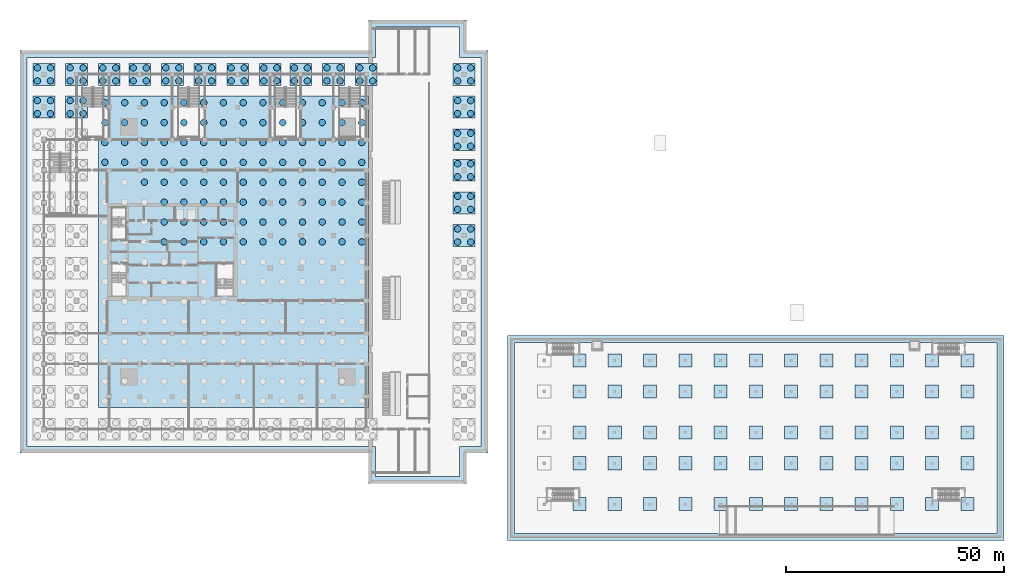
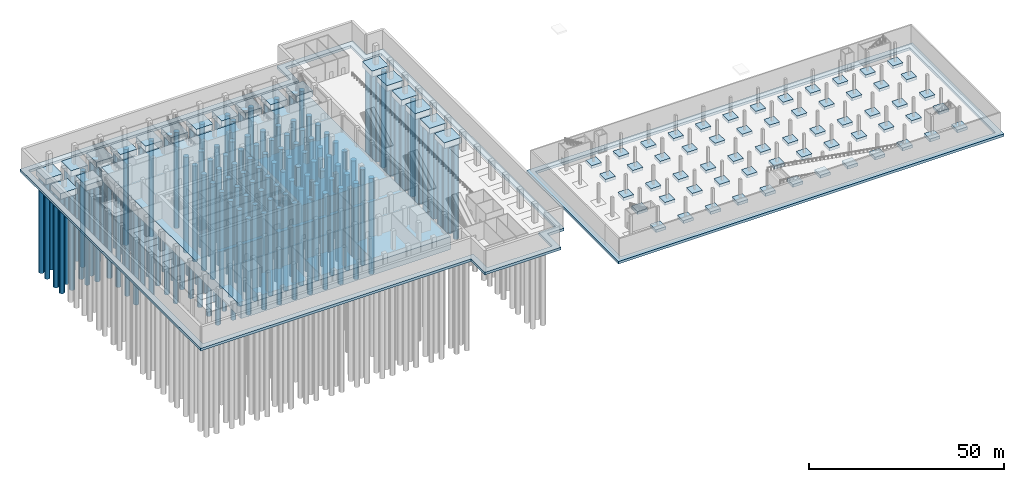
# One storey, part 2 of 39: 177 piles, 82 footings.
"""IFC4 building model written with IfcOpenShell, lengths in metres."""

import ifcopenshell
import ifcopenshell.guid

model = None  # the IFC model being written
_history = None  # IfcOwnerHistory: only IFC2X3 demands one
_inside = {}  # id of a spatial element -> (the spatial element, [elements in it])
_under = {}  # id of a project, library or spatial element -> (it, [spatial elements below it])
_declared = {}  # id of a project -> (the project, [libraries it declares])
_typed = {}  # id of a type object -> (the type object, [elements of that type])
_made_of = {}  # id of a material, layer set ... -> (it, [elements and type objects made of it])


def new_model(schema):
    """Start an empty IFC model of exactly this schema.

    Asked for "IFC4X3", IfcOpenShell would pick the latest addendum, in which some entities
    have other attributes; the version numbers below select the first issue.
    IFC2X3 requires an IfcOwnerHistory on every rooted entity: one is made here for all.
    """
    global model, _history
    if schema == "IFC4X3":
        model = ifcopenshell.file(schema_version=(4, 3, 0, 0))
    else:
        model = ifcopenshell.file(schema=schema)
    _inside.clear()
    _under.clear()
    _declared.clear()
    _typed.clear()
    _made_of.clear()
    _history = None
    if model.schema == "IFC2X3":
        org = make("IfcOrganization", Name="unknown")
        user = make(
            "IfcPersonAndOrganization",
            ThePerson=make("IfcPerson", FamilyName="unknown"),
            TheOrganization=org,
        )
        app = make(
            "IfcApplication",
            ApplicationDeveloper=org,
            Version="unknown",
            ApplicationFullName="unknown",
            ApplicationIdentifier="unknown",
        )
        _history = make(
            "IfcOwnerHistory",
            OwningUser=user,
            OwningApplication=app,
            ChangeAction="ADDED",
            CreationDate=0,
        )
    return model


def make(cls, **values):
    """One entity of the class cls with the attributes given. An attribute that is None is left unset."""
    return model.create_entity(
        cls, **{name: value for name, value in values.items() if value is not None}
    )


def rooted(cls, **values):
    """An entity with a GlobalId (a new one), such as an element, a storey or a relation."""
    return make(cls, GlobalId=ifcopenshell.guid.new(), OwnerHistory=_history, **values)


def si_unit(unit_type, name, prefix=None):
    """IfcSIUnit, for example si_unit("LENGTHUNIT", "METRE", prefix="MILLI")."""
    return make("IfcSIUnit", UnitType=unit_type, Prefix=prefix, Name=name)


def assignment(units):
    """IfcUnitAssignment: the units of a project."""
    return None if units is None else make("IfcUnitAssignment", Units=units)


def point(xyz):
    """IfcCartesianPoint."""
    return None if xyz is None else make("IfcCartesianPoint", Coordinates=xyz)


def direction(xyz):
    """IfcDirection."""
    return None if xyz is None else make("IfcDirection", DirectionRatios=xyz)


def frame(location, z_axis=None, x_axis=None):
    """IfcAxis2Placement3D, a coordinate frame: its origin and axes. An axis left out is left unset."""
    return make(
        "IfcAxis2Placement3D",
        Location=point(location),
        Axis=direction(z_axis),
        RefDirection=direction(x_axis),
    )


def frame_2d(location, x_axis=None):
    """IfcAxis2Placement2D, a coordinate frame in the plane: its origin and x axis."""
    return make(
        "IfcAxis2Placement2D", Location=point(location), RefDirection=direction(x_axis)
    )


def origin():
    """The frame at (0, 0, 0) with its axes left unset."""
    return frame((0.0, 0.0, 0.0))


def origin_2d():
    """The frame at (0, 0) in the plane with its x axis left unset."""
    return frame_2d((0.0, 0.0))


def place(relative_to, where):
    """IfcLocalPlacement: puts the frame where relative to a parent placement (None: the world)."""
    return make(
        "IfcLocalPlacement", PlacementRelTo=relative_to, RelativePlacement=where
    )


def context(
    kind, dimensions, precision=None, world=None, true_north=None, identifier=None
):
    """IfcGeometricRepresentationContext, for example the 3D "Model" context."""
    return make(
        "IfcGeometricRepresentationContext",
        ContextIdentifier=identifier,
        ContextType=kind,
        CoordinateSpaceDimension=dimensions,
        Precision=precision,
        WorldCoordinateSystem=world,
        TrueNorth=true_north,
    )


def subcontext(parent, identifier, kind, view, scale=None):
    """IfcGeometricRepresentationSubContext, for example "Body" below "Model"."""
    return make(
        "IfcGeometricRepresentationSubContext",
        ContextIdentifier=identifier,
        ContextType=kind,
        ParentContext=parent,
        TargetScale=scale,
        TargetView=view,
    )


def project(units=None, contexts=None):
    """IfcProject with its units and contexts."""
    return rooted(
        "IfcProject",
        Name="project",
        RepresentationContexts=contexts,
        UnitsInContext=assignment(units),
    )


def spatial(cls, under=None, at=None, **own):
    """A site, building, storey or space (cls), placed at a placement, below another one or the project."""
    s = rooted(cls, ObjectPlacement=at, **own)
    if under is not None:
        _under.setdefault(under.id(), (under, []))[1].append(s)
    return s


def polyline(points):
    """IfcPolyline through the points."""
    return make("IfcPolyline", Points=[point(p) for p in points])


def profile(cls, at=None, kind="AREA", **sizes):
    """A parametric profile (cls). Its sizes go by their IFC names, for example OverallWidth=200.0."""
    return make(cls, ProfileType=kind, Position=at, **sizes)


def rectangle(**sizes):
    """IfcRectangleProfileDef."""
    return profile("IfcRectangleProfileDef", **sizes)


def circle(**sizes):
    """IfcCircleProfileDef."""
    return profile("IfcCircleProfileDef", **sizes)


def outline(outer, holes=None, kind="AREA"):
    """IfcArbitraryClosedProfileDef: a profile drawn as a closed curve; with holes, ...WithVoids."""
    if holes is None:
        return make("IfcArbitraryClosedProfileDef", ProfileType=kind, OuterCurve=outer)
    return make(
        "IfcArbitraryProfileDefWithVoids",
        ProfileType=kind,
        OuterCurve=outer,
        InnerCurves=holes,
    )


def extrude(swept, where, along, depth):
    """IfcExtrudedAreaSolid: the profile swept, set in the frame where, extruded along a direction by depth."""
    return make(
        "IfcExtrudedAreaSolid",
        SweptArea=swept,
        Position=where,
        ExtrudedDirection=direction(along),
        Depth=depth,
    )


def shape(context_of_items, identifier, shape_type, items):
    """IfcShapeRepresentation: the items that make up one representation, for example the "Body"."""
    return make(
        "IfcShapeRepresentation",
        ContextOfItems=context_of_items,
        RepresentationIdentifier=identifier,
        RepresentationType=shape_type,
        Items=items,
    )


def material(Name=None, Category=None):
    """IfcMaterial."""
    return make("IfcMaterial", Name=Name, Category=Category)


def layer(
    of_material, thickness, ventilated=None, Name=None, Category=None, Priority=None
):
    """IfcMaterialLayer: one layer of a wall or slab, of a material (None: an air gap)."""
    return make(
        "IfcMaterialLayer",
        Material=of_material,
        LayerThickness=thickness,
        IsVentilated=ventilated,
        Name=Name,
        Category=Category,
        Priority=Priority,
    )


def layer_set(layers, Name=None):
    """IfcMaterialLayerSet."""
    return make("IfcMaterialLayerSet", MaterialLayers=layers, LayerSetName=Name)


def material_profile(
    of_material, cross_section, Name=None, Category=None, Priority=None
):
    """IfcMaterialProfile: a cross section and its material."""
    return make(
        "IfcMaterialProfile",
        Name=Name,
        Material=of_material,
        Profile=cross_section,
        Priority=Priority,
        Category=Category,
    )


def profile_set(profiles, Name=None, composite=None):
    """IfcMaterialProfileSet."""
    return make(
        "IfcMaterialProfileSet",
        Name=Name,
        MaterialProfiles=profiles,
        CompositeProfile=composite,
    )


def made_of(thing, what):
    """Note that an element or type object is made of a material, layer set ...; save() writes the relation."""
    if what is not None:
        _made_of.setdefault(what.id(), (what, []))[1].append(thing)
    return thing


def type_object(cls, material=None, **own):
    """A type object (cls), such as IfcWallType, which elements share."""
    return made_of(rooted(cls, **own), material)


def element(
    cls,
    number,
    at=None,
    inside=None,
    cuts=None,
    type_object=None,
    material=None,
    context=None,
    identifier="Body",
    shape_type=None,
    held_by="IfcProductDefinitionShape",
    body=None,
    shapes=None,
    **own,
):
    """One element of the class cls, such as IfcWall. Its Tag is "e" and its number.

    at: its placement. inside: the storey or other place that contains it. cuts: it is an
    opening in that element (IfcRelVoidsElement). A single representation is given by context,
    identifier, shape_type and body (its items); several are given by shapes. held_by: the class
    of the entity that holds the representations. save() writes the other relations.
    """
    e = rooted(cls, Tag="e%d" % number, ObjectPlacement=at, **own)
    if body is not None:
        shapes = [shape(context, identifier, shape_type, body)]
    if shapes is not None:
        e.Representation = make(held_by, Representations=shapes)
    if inside is not None:
        _inside.setdefault(inside.id(), (inside, []))[1].append(e)
    if cuts is not None:
        rooted(
            "IfcRelVoidsElement", RelatingBuildingElement=cuts, RelatedOpeningElement=e
        )
    if type_object is not None:
        _typed.setdefault(type_object.id(), (type_object, []))[1].append(e)
    return made_of(e, material)


def aggregate(whole, parts):
    """IfcRelAggregates: a whole, such as a stair, and the parts it consists of."""
    return rooted("IfcRelAggregates", RelatingObject=whole, RelatedObjects=parts)


def save(model, path):
    """Write the relations noted so far, then the file.

    IfcRelAggregates (storeys below a building ...), IfcRelContainedInSpatialStructure (elements
    in a storey), IfcRelDefinesByType, IfcRelAssociatesMaterial and IfcRelDeclares: one each for
    every whole, place, type object, material and project.
    """
    for whole, parts in _under.values():
        aggregate(whole, parts)
    for where, things in _inside.values():
        rooted(
            "IfcRelContainedInSpatialStructure",
            RelatedElements=things,
            RelatingStructure=where,
        )
    for kind, things in _typed.values():
        rooted("IfcRelDefinesByType", RelatedObjects=things, RelatingType=kind)
    for what, things in _made_of.values():
        rooted("IfcRelAssociatesMaterial", RelatedObjects=things, RelatingMaterial=what)
    for by, libraries in _declared.values():
        rooted("IfcRelDeclares", RelatingContext=by, RelatedDefinitions=libraries)
    model.write(path)


model = new_model("IFC4")

# Units and contexts
model_context = context("Model", 3, precision=1e-05, world=origin(), true_north=direction((0.0, 1.0)))
body_context = subcontext(model_context, "Body", "Model", "MODEL_VIEW")
ifc_project = project(units=[si_unit("LENGTHUNIT", "METRE"), si_unit("AREAUNIT", "SQUARE_METRE"), si_unit("VOLUMEUNIT", "CUBIC_METRE"), si_unit("PLANEANGLEUNIT", "RADIAN"), si_unit("MASSUNIT", "GRAM", prefix="KILO")], contexts=[model_context])

# Site, building, storey
site_placement = place(None, origin())
site = spatial("IfcSite", under=ifc_project, at=site_placement, CompositionType="ELEMENT")
building_placement = place(site_placement, origin())
building = spatial("IfcBuilding", under=site, at=building_placement, Name="Tamorin Gate", CompositionType="ELEMENT")
storey_placement = place(building_placement, frame((0.0, 0.0, -12.0)))
storey = spatial("IfcBuildingStorey", under=building, at=storey_placement, Name="B2", CompositionType="ELEMENT", Elevation=-12.0)

# Piles
ifc_material = material(Name="Concrete C40/50", Category="concrete")
ifc_material_profile = material_profile(ifc_material, circle(Radius=0.75, at=origin_2d()))
ifc_profile_set = profile_set([ifc_material_profile], Name="Concrete C40/50")
pile_type = type_object("IfcPileType", Name="Bored pile 1500 C40/50", PredefinedType="BORED", material=ifc_profile_set)
for number, where, z_axis, x_axis, name in (
    (1, (29.5, 91.800048828125, -3.89990234375), (0.0, 0.0, -1.0), (1.0, 0.0, 0.0), "Raft pile 1-13"),
    (2, (29.5, 96.36669921875, -3.89990234375), (0.0, 0.0, -1.0), (1.0, 0.0, 0.0), "Raft pile 1-14"),
    (3, (29.5, 100.933349609375, -3.89990234375), (0.0, 0.0, -1.0), (1.0, 0.0, 0.0), "Raft pile 1-15"),
    (4, (29.5, 105.5, -3.89990234375), (0.0, 0.0, -1.0), (1.0, 0.0, 0.0), "Raft pile 1-16"),
    (5, (34.03857421875, 91.800048828125, -3.89990234375), (0.0, 0.0, -1.0), (1.0, 0.0, 0.0), "Raft pile 2-13"),
    (6, (34.03857421875, 96.36669921875, -3.89990234375), (0.0, 0.0, -1.0), (1.0, 0.0, 0.0), "Raft pile 2-14"),
    (7, (34.03857421875, 100.933349609375, -3.89990234375), (0.0, 0.0, -1.0), (1.0, 0.0, 0.0), "Raft pile 2-15"),
    (8, (34.03857421875, 105.5, -3.89990234375), (0.0, 0.0, -1.0), (1.0, 0.0, 0.0), "Raft pile 2-16"),
    (9, (38.576904296875, 87.2333984375, -3.89990234375), (0.0, 0.0, -1.0), (1.0, 0.0, 0.0), "Raft pile 3-12"),
    (10, (38.576904296875, 91.800048828125, -3.89990234375), (0.0, 0.0, -1.0), (1.0, 0.0, 0.0), "Raft pile 3-13"),
    (11, (38.576904296875, 96.36669921875, -3.89990234375), (0.0, 0.0, -1.0), (1.0, 0.0, 0.0), "Raft pile 3-14"),
    (12, (38.576904296875, 100.933349609375, -3.89990234375), (0.0, 0.0, -1.0), (1.0, 0.0, 0.0), "Raft pile 3-15"),
    (13, (38.576904296875, 105.5, -3.89990234375), (0.0, 0.0, -1.0), (1.0, 0.0, 0.0), "Raft pile 3-16"),
    (14, (43.115478515625, 73.533447265625, -3.89990234375), (0.0, 0.0, -1.0), (1.0, 0.0, 0.0), "Raft pile 4-9"),
    (15, (43.115478515625, 78.10009765625, -3.89990234375), (0.0, 0.0, -1.0), (1.0, 0.0, 0.0), "Raft pile 4-10"),
    (16, (43.115478515625, 82.666748046875, -3.89990234375), (0.0, 0.0, -1.0), (1.0, 0.0, 0.0), "Raft pile 4-11"),
    (17, (43.115478515625, 87.2333984375, -3.89990234375), (0.0, 0.0, -1.0), (1.0, 0.0, 0.0), "Raft pile 4-12"),
    (18, (43.115478515625, 91.800048828125, -3.89990234375), (0.0, 0.0, -1.0), (1.0, 0.0, 0.0), "Raft pile 4-13"),
    (19, (43.115478515625, 96.36669921875, -3.89990234375), (0.0, 0.0, -1.0), (1.0, 0.0, 0.0), "Raft pile 4-14"),
    (20, (43.115478515625, 100.933349609375, -3.89990234375), (0.0, 0.0, -1.0), (1.0, 0.0, 0.0), "Raft pile 4-15"),
    (21, (43.115478515625, 105.5, -3.89990234375), (0.0, 0.0, -1.0), (1.0, 0.0, 0.0), "Raft pile 4-16"),
    (22, (47.65380859375, 73.533447265625, -3.89990234375), (0.0, 0.0, -1.0), (1.0, 0.0, 0.0), "Raft pile 5-9"),
    (23, (47.65380859375, 78.10009765625, -3.89990234375), (0.0, 0.0, -1.0), (1.0, 0.0, 0.0), "Raft pile 5-10"),
    (24, (47.65380859375, 82.666748046875, -3.89990234375), (0.0, 0.0, -1.0), (1.0, 0.0, 0.0), "Raft pile 5-11"),
    (25, (47.65380859375, 87.2333984375, -3.89990234375), (0.0, 0.0, -1.0), (1.0, 0.0, 0.0), "Raft pile 5-12"),
    (26, (47.65380859375, 91.800048828125, -3.89990234375), (0.0, 0.0, -1.0), (1.0, 0.0, 0.0), "Raft pile 5-13"),
    (27, (47.65380859375, 96.36669921875, -3.89990234375), (0.0, 0.0, -1.0), (1.0, 0.0, 0.0), "Raft pile 5-14"),
    (28, (47.65380859375, 100.933349609375, -3.89990234375), (0.0, 0.0, -1.0), (1.0, 0.0, 0.0), "Raft pile 5-15"),
    (29, (47.65380859375, 105.5, -3.89990234375), (0.0, 0.0, -1.0), (1.0, 0.0, 0.0), "Raft pile 5-16"),
    (30, (52.1923828125, 73.533447265625, -3.89990234375), (0.0, 0.0, -1.0), (1.0, 0.0, 0.0), "Raft pile 6-9"),
    (31, (52.1923828125, 78.10009765625, -3.89990234375), (0.0, 0.0, -1.0), (1.0, 0.0, 0.0), "Raft pile 6-10"),
    (32, (52.1923828125, 82.666748046875, -3.89990234375), (0.0, 0.0, -1.0), (1.0, 0.0, 0.0), "Raft pile 6-11"),
    (33, (52.1923828125, 87.2333984375, -3.89990234375), (0.0, 0.0, -1.0), (1.0, 0.0, 0.0), "Raft pile 6-12"),
    (34, (52.1923828125, 91.800048828125, -3.89990234375), (0.0, 0.0, -1.0), (1.0, 0.0, 0.0), "Raft pile 6-13"),
    (35, (52.1923828125, 96.36669921875, -3.89990234375), (0.0, 0.0, -1.0), (1.0, 0.0, 0.0), "Raft pile 6-14"),
    (36, (52.1923828125, 100.933349609375, -3.89990234375), (0.0, 0.0, -1.0), (1.0, 0.0, 0.0), "Raft pile 6-15"),
    (37, (52.1923828125, 105.5, -3.89990234375), (0.0, 0.0, -1.0), (1.0, 0.0, 0.0), "Raft pile 6-16"),
    (38, (56.730712890625, 73.533447265625, -3.89990234375), (0.0, 0.0, -1.0), (1.0, 0.0, 0.0), "Raft pile 7-9"),
    (39, (56.730712890625, 78.10009765625, -3.89990234375), (0.0, 0.0, -1.0), (1.0, 0.0, 0.0), "Raft pile 7-10"),
    (40, (56.730712890625, 82.666748046875, -3.89990234375), (0.0, 0.0, -1.0), (1.0, 0.0, 0.0), "Raft pile 7-11"),
    (41, (56.730712890625, 87.2333984375, -3.89990234375), (0.0, 0.0, -1.0), (1.0, 0.0, 0.0), "Raft pile 7-12"),
    (42, (56.730712890625, 91.800048828125, -3.89990234375), (0.0, 0.0, -1.0), (1.0, 0.0, 0.0), "Raft pile 7-13"),
    (43, (56.730712890625, 96.36669921875, -3.89990234375), (0.0, 0.0, -1.0), (1.0, 0.0, 0.0), "Raft pile 7-14"),
    (44, (56.730712890625, 100.933349609375, -3.89990234375), (0.0, 0.0, -1.0), (1.0, 0.0, 0.0), "Raft pile 7-15"),
    (45, (56.730712890625, 105.5, -3.89990234375), (0.0, 0.0, -1.0), (1.0, 0.0, 0.0), "Raft pile 7-16"),
    (46, (61.269287109375, 73.533447265625, -3.89990234375), (0.0, 0.0, -1.0), (1.0, 0.0, 0.0), "Raft pile 8-9"),
    (47, (61.269287109375, 78.10009765625, -3.89990234375), (0.0, 0.0, -1.0), (1.0, 0.0, 0.0), "Raft pile 8-10"),
    (48, (61.269287109375, 82.666748046875, -3.89990234375), (0.0, 0.0, -1.0), (1.0, 0.0, 0.0), "Raft pile 8-11"),
    (49, (61.269287109375, 87.2333984375, -3.89990234375), (0.0, 0.0, -1.0), (1.0, 0.0, 0.0), "Raft pile 8-12"),
    (50, (61.269287109375, 91.800048828125, -3.89990234375), (0.0, 0.0, -1.0), (1.0, 0.0, 0.0), "Raft pile 8-13"),
    (51, (61.269287109375, 96.36669921875, -3.89990234375), (0.0, 0.0, -1.0), (1.0, 0.0, 0.0), "Raft pile 8-14"),
    (52, (61.269287109375, 100.933349609375, -3.89990234375), (0.0, 0.0, -1.0), (1.0, 0.0, 0.0), "Raft pile 8-15"),
    (53, (61.269287109375, 105.5, -3.89990234375), (0.0, 0.0, -1.0), (1.0, 0.0, 0.0), "Raft pile 8-16"),
    (54, (65.8076171875, 73.533447265625, -3.89990234375), (0.0, 0.0, -1.0), (1.0, 0.0, 0.0), "Raft pile 9-9"),
    (55, (65.8076171875, 78.10009765625, -3.89990234375), (0.0, 0.0, -1.0), (1.0, 0.0, 0.0), "Raft pile 9-10"),
    (56, (65.8076171875, 82.666748046875, -3.89990234375), (0.0, 0.0, -1.0), (1.0, 0.0, 0.0), "Raft pile 9-11"),
    (57, (65.8076171875, 87.2333984375, -3.89990234375), (0.0, 0.0, -1.0), (1.0, 0.0, 0.0), "Raft pile 9-12"),
    (58, (65.8076171875, 91.800048828125, -3.89990234375), (0.0, 0.0, -1.0), (1.0, 0.0, 0.0), "Raft pile 9-13"),
    (59, (65.8076171875, 96.36669921875, -3.89990234375), (0.0, 0.0, -1.0), (1.0, 0.0, 0.0), "Raft pile 9-14"),
    (60, (65.8076171875, 100.933349609375, -3.89990234375), (0.0, 0.0, -1.0), (1.0, 0.0, 0.0), "Raft pile 9-15"),
    (61, (65.8076171875, 105.5, -3.89990234375), (0.0, 0.0, -1.0), (1.0, 0.0, 0.0), "Raft pile 9-16"),
    (62, (70.34619140625, 73.533447265625, -3.89990234375), (0.0, 0.0, -1.0), (1.0, 0.0, 0.0), "Raft pile 10-9"),
    (63, (70.34619140625, 78.10009765625, -3.89990234375), (0.0, 0.0, -1.0), (1.0, 0.0, 0.0), "Raft pile 10-10"),
    (64, (70.34619140625, 82.666748046875, -3.89990234375), (0.0, 0.0, -1.0), (1.0, 0.0, 0.0), "Raft pile 10-11"),
    (65, (70.34619140625, 87.2333984375, -3.89990234375), (0.0, 0.0, -1.0), (1.0, 0.0, 0.0), "Raft pile 10-12"),
    (66, (70.34619140625, 91.800048828125, -3.89990234375), (0.0, 0.0, -1.0), (1.0, 0.0, 0.0), "Raft pile 10-13"),
    (67, (70.34619140625, 96.36669921875, -3.89990234375), (0.0, 0.0, -1.0), (1.0, 0.0, 0.0), "Raft pile 10-14"),
    (68, (70.34619140625, 100.933349609375, -3.89990234375), (0.0, 0.0, -1.0), (1.0, 0.0, 0.0), "Raft pile 10-15"),
    (69, (70.34619140625, 105.5, -3.89990234375), (0.0, 0.0, -1.0), (1.0, 0.0, 0.0), "Raft pile 10-16"),
    (70, (74.884521484375, 73.533447265625, -3.89990234375), (0.0, 0.0, -1.0), (1.0, 0.0, 0.0), "Raft pile 11-9"),
    (71, (74.884521484375, 78.10009765625, -3.89990234375), (0.0, 0.0, -1.0), (1.0, 0.0, 0.0), "Raft pile 11-10"),
    (72, (74.884521484375, 82.666748046875, -3.89990234375), (0.0, 0.0, -1.0), (1.0, 0.0, 0.0), "Raft pile 11-11"),
    (73, (74.884521484375, 87.2333984375, -3.89990234375), (0.0, 0.0, -1.0), (1.0, 0.0, 0.0), "Raft pile 11-12"),
    (74, (74.884521484375, 91.800048828125, -3.89990234375), (0.0, 0.0, -1.0), (1.0, 0.0, 0.0), "Raft pile 11-13"),
    (75, (74.884521484375, 96.36669921875, -3.89990234375), (0.0, 0.0, -1.0), (1.0, 0.0, 0.0), "Raft pile 11-14"),
    (76, (74.884521484375, 100.933349609375, -3.89990234375), (0.0, 0.0, -1.0), (1.0, 0.0, 0.0), "Raft pile 11-15"),
    (77, (74.884521484375, 105.5, -3.89990234375), (0.0, 0.0, -1.0), (1.0, 0.0, 0.0), "Raft pile 11-16"),
    (78, (79.423095703125, 73.533447265625, -3.89990234375), (0.0, 0.0, -1.0), (1.0, 0.0, 0.0), "Raft pile 12-9"),
    (79, (79.423095703125, 78.10009765625, -3.89990234375), (0.0, 0.0, -1.0), (1.0, 0.0, 0.0), "Raft pile 12-10"),
    (80, (79.423095703125, 82.666748046875, -3.89990234375), (0.0, 0.0, -1.0), (1.0, 0.0, 0.0), "Raft pile 12-11"),
    (81, (79.423095703125, 87.2333984375, -3.89990234375), (0.0, 0.0, -1.0), (1.0, 0.0, 0.0), "Raft pile 12-12"),
    (82, (79.423095703125, 91.800048828125, -3.89990234375), (0.0, 0.0, -1.0), (1.0, 0.0, 0.0), "Raft pile 12-13"),
    (83, (79.423095703125, 96.36669921875, -3.89990234375), (0.0, 0.0, -1.0), (1.0, 0.0, 0.0), "Raft pile 12-14"),
    (84, (79.423095703125, 100.933349609375, -3.89990234375), (0.0, 0.0, -1.0), (1.0, 0.0, 0.0), "Raft pile 12-15"),
    (85, (79.423095703125, 105.5, -3.89990234375), (0.0, 0.0, -1.0), (1.0, 0.0, 0.0), "Raft pile 12-16"),
    (86, (83.96142578125, 73.533447265625, -3.89990234375), (0.0, 0.0, -1.0), (1.0, 0.0, 0.0), "Raft pile 13-9"),
    (87, (83.96142578125, 78.10009765625, -3.89990234375), (0.0, 0.0, -1.0), (1.0, 0.0, 0.0), "Raft pile 13-10"),
    (88, (83.96142578125, 82.666748046875, -3.89990234375), (0.0, 0.0, -1.0), (1.0, 0.0, 0.0), "Raft pile 13-11"),
    (89, (83.96142578125, 87.2333984375, -3.89990234375), (0.0, 0.0, -1.0), (1.0, 0.0, 0.0), "Raft pile 13-12"),
    (90, (83.96142578125, 91.800048828125, -3.89990234375), (0.0, 0.0, -1.0), (1.0, 0.0, 0.0), "Raft pile 13-13"),
    (91, (83.96142578125, 96.36669921875, -3.89990234375), (0.0, 0.0, -1.0), (1.0, 0.0, 0.0), "Raft pile 13-14"),
    (92, (83.96142578125, 100.933349609375, -3.89990234375), (0.0, 0.0, -1.0), (1.0, 0.0, 0.0), "Raft pile 13-15"),
    (93, (83.96142578125, 105.5, -3.89990234375), (0.0, 0.0, -1.0), (1.0, 0.0, 0.0), "Raft pile 13-16"),
    (94, (88.5, 73.533447265625, -3.89990234375), (0.0, 0.0, -1.0), (1.0, 0.0, 0.0), "Raft pile 14-9"),
    (95, (88.5, 78.10009765625, -3.89990234375), (0.0, 0.0, -1.0), (1.0, 0.0, 0.0), "Raft pile 14-10"),
    (96, (88.5, 82.666748046875, -3.89990234375), (0.0, 0.0, -1.0), (1.0, 0.0, 0.0), "Raft pile 14-11"),
    (97, (88.5, 87.2333984375, -3.89990234375), (0.0, 0.0, -1.0), (1.0, 0.0, 0.0), "Raft pile 14-12"),
    (98, (88.5, 91.800048828125, -3.89990234375), (0.0, 0.0, -1.0), (1.0, 0.0, 0.0), "Raft pile 14-13"),
    (99, (88.5, 96.36669921875, -3.89990234375), (0.0, 0.0, -1.0), (1.0, 0.0, 0.0), "Raft pile 14-14"),
    (100, (88.5, 100.933349609375, -3.89990234375), (0.0, 0.0, -1.0), (1.0, 0.0, 0.0), "Raft pile 14-15"),
    (101, (88.5, 105.5, -3.89990234375), (0.0, 0.0, -1.0), (1.0, 0.0, 0.0), "Raft pile 14-16"),
    (102, (14.0, 103.0, -1.699951171875), (0.0, 0.0, -1.0), (1.0, 0.0, 0.0), "Cap pile"),
    (103, (14.0, 106.0, -1.699951171875), (0.0, 0.0, -1.0), (1.0, 0.0, 0.0), "Cap pile"),
    (104, (17.0, 103.0, -1.699951171875), (0.0, 0.0, -1.0), (1.0, 0.0, 0.0), "Cap pile"),
    (105, (17.0, 106.0, -1.699951171875), (0.0, 0.0, -1.0), (1.0, 0.0, 0.0), "Cap pile"),
    (106, (14.0, 110.5, -1.699951171875), (0.0, 0.0, -1.0), (1.0, 0.0, 0.0), "Cap pile"),
    (107, (14.0, 113.5, -1.699951171875), (0.0, 0.0, -1.0), (1.0, 0.0, 0.0), "Cap pile"),
    (108, (17.0, 110.5, -1.699951171875), (0.0, 0.0, -1.0), (1.0, 0.0, 0.0), "Cap pile"),
    (109, (17.0, 113.5, -1.699951171875), (0.0, 0.0, -1.0), (1.0, 0.0, 0.0), "Cap pile"),
    (110, (21.5, 103.0, -1.699951171875), (0.0, 0.0, -1.0), (1.0, 0.0, 0.0), "Cap pile"),
    (111, (21.5, 106.0, -1.699951171875), (0.0, 0.0, -1.0), (1.0, 0.0, 0.0), "Cap pile"),
    (112, (24.5, 103.0, -1.699951171875), (0.0, 0.0, -1.0), (1.0, 0.0, 0.0), "Cap pile"),
    (113, (24.5, 106.0, -1.699951171875), (0.0, 0.0, -1.0), (1.0, 0.0, 0.0), "Cap pile"),
    (114, (21.5, 110.5, -1.699951171875), (0.0, 0.0, -1.0), (1.0, 0.0, 0.0), "Cap pile"),
    (115, (21.5, 113.5, -1.699951171875), (0.0, 0.0, -1.0), (1.0, 0.0, 0.0), "Cap pile"),
    (116, (24.5, 110.5, -1.699951171875), (0.0, 0.0, -1.0), (1.0, 0.0, 0.0), "Cap pile"),
    (117, (24.5, 113.5, -1.699951171875), (0.0, 0.0, -1.0), (1.0, 0.0, 0.0), "Cap pile"),
    (118, (29.0, 110.5, -1.699951171875), (0.0, 0.0, -1.0), (1.0, 0.0, 0.0), "Cap pile"),
    (119, (29.0, 113.5, -1.699951171875), (0.0, 0.0, -1.0), (1.0, 0.0, 0.0), "Cap pile"),
    (120, (32.0, 110.5, -1.699951171875), (0.0, 0.0, -1.0), (1.0, 0.0, 0.0), "Cap pile"),
    (121, (32.0, 113.5, -1.699951171875), (0.0, 0.0, -1.0), (1.0, 0.0, 0.0), "Cap pile"),
    (122, (36.0, 110.5, -1.699951171875), (0.0, 0.0, -1.0), (1.0, 0.0, 0.0), "Cap pile"),
    (123, (36.0, 113.5, -1.699951171875), (0.0, 0.0, -1.0), (1.0, 0.0, 0.0), "Cap pile"),
    (124, (39.0, 110.5, -1.699951171875), (0.0, 0.0, -1.0), (1.0, 0.0, 0.0), "Cap pile"),
    (125, (39.0, 113.5, -1.699951171875), (0.0, 0.0, -1.0), (1.0, 0.0, 0.0), "Cap pile"),
    (126, (43.5, 110.5, -1.699951171875), (0.0, 0.0, -1.0), (1.0, 0.0, 0.0), "Cap pile"),
    (127, (43.5, 113.5, -1.699951171875), (0.0, 0.0, -1.0), (1.0, 0.0, 0.0), "Cap pile"),
    (128, (46.5, 110.5, -1.699951171875), (0.0, 0.0, -1.0), (1.0, 0.0, 0.0), "Cap pile"),
    (129, (46.5, 113.5, -1.699951171875), (0.0, 0.0, -1.0), (1.0, 0.0, 0.0), "Cap pile"),
    (130, (51.0, 110.5, -1.699951171875), (0.0, 0.0, -1.0), (1.0, 0.0, 0.0), "Cap pile"),
    (131, (51.0, 113.5, -1.699951171875), (0.0, 0.0, -1.0), (1.0, 0.0, 0.0), "Cap pile"),
    (132, (54.0, 110.5, -1.699951171875), (0.0, 0.0, -1.0), (1.0, 0.0, 0.0), "Cap pile"),
    (133, (54.0, 113.5, -1.699951171875), (0.0, 0.0, -1.0), (1.0, 0.0, 0.0), "Cap pile"),
    (134, (58.5, 110.5, -1.699951171875), (0.0, 0.0, -1.0), (1.0, 0.0, 0.0), "Cap pile"),
    (135, (58.5, 113.5, -1.699951171875), (0.0, 0.0, -1.0), (1.0, 0.0, 0.0), "Cap pile"),
    (136, (61.5, 110.5, -1.699951171875), (0.0, 0.0, -1.0), (1.0, 0.0, 0.0), "Cap pile"),
    (137, (61.5, 113.5, -1.699951171875), (0.0, 0.0, -1.0), (1.0, 0.0, 0.0), "Cap pile"),
    (138, (66.0, 110.5, -1.699951171875), (0.0, 0.0, -1.0), (1.0, 0.0, 0.0), "Cap pile"),
    (139, (66.0, 113.5, -1.699951171875), (0.0, 0.0, -1.0), (1.0, 0.0, 0.0), "Cap pile"),
    (140, (69.0, 110.5, -1.699951171875), (0.0, 0.0, -1.0), (1.0, 0.0, 0.0), "Cap pile"),
    (141, (69.0, 113.5, -1.699951171875), (0.0, 0.0, -1.0), (1.0, 0.0, 0.0), "Cap pile"),
    (142, (73.0, 110.5, -1.699951171875), (0.0, 0.0, -1.0), (1.0, 0.0, 0.0), "Cap pile"),
    (143, (73.0, 113.5, -1.699951171875), (0.0, 0.0, -1.0), (1.0, 0.0, 0.0), "Cap pile"),
    (144, (76.0, 110.5, -1.699951171875), (0.0, 0.0, -1.0), (1.0, 0.0, 0.0), "Cap pile"),
    (145, (76.0, 113.5, -1.699951171875), (0.0, 0.0, -1.0), (1.0, 0.0, 0.0), "Cap pile"),
    (146, (80.5, 110.5, -1.699951171875), (0.0, 0.0, -1.0), (1.0, 0.0, 0.0), "Cap pile"),
    (147, (80.5, 113.5, -1.699951171875), (0.0, 0.0, -1.0), (1.0, 0.0, 0.0), "Cap pile"),
    (148, (83.5, 110.5, -1.699951171875), (0.0, 0.0, -1.0), (1.0, 0.0, 0.0), "Cap pile"),
    (149, (83.5, 113.5, -1.699951171875), (0.0, 0.0, -1.0), (1.0, 0.0, 0.0), "Cap pile"),
    (150, (88.0, 110.5, -1.699951171875), (0.0, 0.0, -1.0), (1.0, 0.0, 0.0), "Cap pile"),
    (151, (88.0, 113.5, -1.699951171875), (0.0, 0.0, -1.0), (1.0, 0.0, 0.0), "Cap pile"),
    (152, (91.0, 110.5, -1.699951171875), (0.0, 0.0, -1.0), (1.0, 0.0, 0.0), "Cap pile"),
    (153, (91.0, 113.5, -1.699951171875), (0.0, 0.0, -1.0), (1.0, 0.0, 0.0), "Cap pile"),
    (154, (110.5, 73.5, -1.699951171875), (0.0, 0.0, -1.0), (1.0, 0.0, 0.0), "Cap pile"),
    (155, (110.5, 76.5, -1.699951171875), (0.0, 0.0, -1.0), (1.0, 0.0, 0.0), "Cap pile"),
    (156, (113.5, 73.5, -1.699951171875), (0.0, 0.0, -1.0), (1.0, 0.0, 0.0), "Cap pile"),
    (157, (113.5, 76.5, -1.699951171875), (0.0, 0.0, -1.0), (1.0, 0.0, 0.0), "Cap pile"),
    (158, (110.5, 81.0, -1.699951171875), (0.0, 0.0, -1.0), (1.0, 0.0, 0.0), "Cap pile"),
    (159, (110.5, 84.0, -1.699951171875), (0.0, 0.0, -1.0), (1.0, 0.0, 0.0), "Cap pile"),
    (160, (113.5, 81.0, -1.699951171875), (0.0, 0.0, -1.0), (1.0, 0.0, 0.0), "Cap pile"),
    (161, (113.5, 84.0, -1.699951171875), (0.0, 0.0, -1.0), (1.0, 0.0, 0.0), "Cap pile"),
    (162, (110.5, 88.5, -1.699951171875), (0.0, 0.0, -1.0), (1.0, 0.0, 0.0), "Cap pile"),
    (163, (110.5, 91.5, -1.699951171875), (0.0, 0.0, -1.0), (1.0, 0.0, 0.0), "Cap pile"),
    (164, (113.5, 88.5, -1.699951171875), (0.0, 0.0, -1.0), (1.0, 0.0, 0.0), "Cap pile"),
    (165, (113.5, 91.5, -1.699951171875), (0.0, 0.0, -1.0), (1.0, 0.0, 0.0), "Cap pile"),
    (166, (110.5, 95.5, -1.699951171875), (0.0, 0.0, -1.0), (1.0, 0.0, 0.0), "Cap pile"),
    (167, (110.5, 98.5, -1.699951171875), (0.0, 0.0, -1.0), (1.0, 0.0, 0.0), "Cap pile"),
    (168, (113.5, 95.5, -1.699951171875), (0.0, 0.0, -1.0), (1.0, 0.0, 0.0), "Cap pile"),
    (169, (113.5, 98.5, -1.699951171875), (0.0, 0.0, -1.0), (1.0, 0.0, 0.0), "Cap pile"),
    (170, (110.5, 103.0, -1.699951171875), (0.0, 0.0, -1.0), (1.0, 0.0, 0.0), "Cap pile"),
    (171, (110.5, 106.0, -1.699951171875), (0.0, 0.0, -1.0), (1.0, 0.0, 0.0), "Cap pile"),
    (172, (113.5, 103.0, -1.699951171875), (0.0, 0.0, -1.0), (1.0, 0.0, 0.0), "Cap pile"),
    (173, (113.5, 106.0, -1.699951171875), (0.0, 0.0, -1.0), (1.0, 0.0, 0.0), "Cap pile"),
    (174, (110.5, 110.5, -1.699951171875), (0.0, 0.0, -1.0), (1.0, 0.0, 0.0), "Cap pile"),
    (175, (110.5, 113.5, -1.699951171875), (0.0, 0.0, -1.0), (1.0, 0.0, 0.0), "Cap pile"),
    (176, (113.5, 110.5, -1.699951171875), (0.0, 0.0, -1.0), (1.0, 0.0, 0.0), "Cap pile"),
    (177, (113.5, 113.5, -1.699951171875), (0.0, 0.0, -1.0), (1.0, 0.0, 0.0), "Cap pile"),
):
    element("IfcPile", number, at=place(storey_placement, frame(where, z_axis=z_axis, x_axis=x_axis)), inside=storey, type_object=pile_type, Name=name, PredefinedType="BORED", context=body_context, shape_type="SweptSolid", body=[
        extrude(circle(Radius=0.75, at=origin_2d()), origin(), (0.0, 0.0, 1.0), 30.0),
    ])

# Footings
footing_type_1 = type_object("IfcFootingType", Name="RC pad footing 3000x3000x900 C40/50", PredefinedType="PAD_FOOTING", material=ifc_material)
for number, where, z_axis, x_axis, name in (
    (178, (138.5, 13.300048828125, -0.89990234375), (0.0, 0.0, 1.0), (1.0, 0.0, 0.0), "Column pad"),
    (179, (138.5, 22.699951171875, -0.89990234375), (0.0, 0.0, 1.0), (1.0, 0.0, 0.0), "Column pad"),
    (180, (138.5, 29.800048828125, -0.89990234375), (0.0, 0.0, 1.0), (1.0, 0.0, 0.0), "Column pad"),
    (181, (138.5, 39.199951171875, -0.89990234375), (0.0, 0.0, 1.0), (1.0, 0.0, 0.0), "Column pad"),
    (182, (138.5, 46.300048828125, -0.89990234375), (0.0, 0.0, 1.0), (1.0, 0.0, 0.0), "Column pad"),
    (183, (146.60009765625, 13.300048828125, -0.89990234375), (0.0, 0.0, 1.0), (1.0, 0.0, 0.0), "Column pad"),
    (184, (146.60009765625, 22.699951171875, -0.89990234375), (0.0, 0.0, 1.0), (1.0, 0.0, 0.0), "Column pad"),
    (185, (146.60009765625, 29.800048828125, -0.89990234375), (0.0, 0.0, 1.0), (1.0, 0.0, 0.0), "Column pad"),
    (186, (146.60009765625, 39.199951171875, -0.89990234375), (0.0, 0.0, 1.0), (1.0, 0.0, 0.0), "Column pad"),
    (187, (146.60009765625, 46.300048828125, -0.89990234375), (0.0, 0.0, 1.0), (1.0, 0.0, 0.0), "Column pad"),
    (188, (154.699951171875, 13.300048828125, -0.89990234375), (0.0, 0.0, 1.0), (1.0, 0.0, 0.0), "Column pad"),
    (189, (154.699951171875, 22.699951171875, -0.89990234375), (0.0, 0.0, 1.0), (1.0, 0.0, 0.0), "Column pad"),
    (190, (154.699951171875, 29.800048828125, -0.89990234375), (0.0, 0.0, 1.0), (1.0, 0.0, 0.0), "Column pad"),
    (191, (154.699951171875, 39.199951171875, -0.89990234375), (0.0, 0.0, 1.0), (1.0, 0.0, 0.0), "Column pad"),
    (192, (154.699951171875, 46.300048828125, -0.89990234375), (0.0, 0.0, 1.0), (1.0, 0.0, 0.0), "Column pad"),
    (193, (162.800048828125, 13.300048828125, -0.89990234375), (0.0, 0.0, 1.0), (1.0, 0.0, 0.0), "Column pad"),
    (194, (162.800048828125, 22.699951171875, -0.89990234375), (0.0, 0.0, 1.0), (1.0, 0.0, 0.0), "Column pad"),
    (195, (162.800048828125, 29.800048828125, -0.89990234375), (0.0, 0.0, 1.0), (1.0, 0.0, 0.0), "Column pad"),
    (196, (162.800048828125, 39.199951171875, -0.89990234375), (0.0, 0.0, 1.0), (1.0, 0.0, 0.0), "Column pad"),
    (197, (162.800048828125, 46.300048828125, -0.89990234375), (0.0, 0.0, 1.0), (1.0, 0.0, 0.0), "Column pad"),
    (198, (170.89990234375, 13.300048828125, -0.89990234375), (0.0, 0.0, 1.0), (1.0, 0.0, 0.0), "Column pad"),
    (199, (170.89990234375, 22.699951171875, -0.89990234375), (0.0, 0.0, 1.0), (1.0, 0.0, 0.0), "Column pad"),
    (200, (170.89990234375, 29.800048828125, -0.89990234375), (0.0, 0.0, 1.0), (1.0, 0.0, 0.0), "Column pad"),
    (201, (170.89990234375, 39.199951171875, -0.89990234375), (0.0, 0.0, 1.0), (1.0, 0.0, 0.0), "Column pad"),
    (202, (170.89990234375, 46.300048828125, -0.89990234375), (0.0, 0.0, 1.0), (1.0, 0.0, 0.0), "Column pad"),
    (203, (179.0, 13.300048828125, -0.89990234375), (0.0, 0.0, 1.0), (1.0, 0.0, 0.0), "Column pad"),
    (204, (179.0, 22.699951171875, -0.89990234375), (0.0, 0.0, 1.0), (1.0, 0.0, 0.0), "Column pad"),
    (205, (179.0, 29.800048828125, -0.89990234375), (0.0, 0.0, 1.0), (1.0, 0.0, 0.0), "Column pad"),
    (206, (179.0, 39.199951171875, -0.89990234375), (0.0, 0.0, 1.0), (1.0, 0.0, 0.0), "Column pad"),
    (207, (179.0, 46.300048828125, -0.89990234375), (0.0, 0.0, 1.0), (1.0, 0.0, 0.0), "Column pad"),
    (208, (187.10009765625, 13.300048828125, -0.89990234375), (0.0, 0.0, 1.0), (1.0, 0.0, 0.0), "Column pad"),
    (209, (187.10009765625, 22.699951171875, -0.89990234375), (0.0, 0.0, 1.0), (1.0, 0.0, 0.0), "Column pad"),
    (210, (187.10009765625, 29.800048828125, -0.89990234375), (0.0, 0.0, 1.0), (1.0, 0.0, 0.0), "Column pad"),
    (211, (187.10009765625, 39.199951171875, -0.89990234375), (0.0, 0.0, 1.0), (1.0, 0.0, 0.0), "Column pad"),
    (212, (187.10009765625, 46.300048828125, -0.89990234375), (0.0, 0.0, 1.0), (1.0, 0.0, 0.0), "Column pad"),
    (213, (195.199951171875, 13.300048828125, -0.89990234375), (0.0, 0.0, 1.0), (1.0, 0.0, 0.0), "Column pad"),
    (214, (195.199951171875, 22.699951171875, -0.89990234375), (0.0, 0.0, 1.0), (1.0, 0.0, 0.0), "Column pad"),
    (215, (195.199951171875, 29.800048828125, -0.89990234375), (0.0, 0.0, 1.0), (1.0, 0.0, 0.0), "Column pad"),
    (216, (195.199951171875, 39.199951171875, -0.89990234375), (0.0, 0.0, 1.0), (1.0, 0.0, 0.0), "Column pad"),
    (217, (195.199951171875, 46.300048828125, -0.89990234375), (0.0, 0.0, 1.0), (1.0, 0.0, 0.0), "Column pad"),
    (218, (203.300048828125, 13.300048828125, -0.89990234375), (0.0, 0.0, 1.0), (1.0, 0.0, 0.0), "Column pad"),
    (219, (203.300048828125, 22.699951171875, -0.89990234375), (0.0, 0.0, 1.0), (1.0, 0.0, 0.0), "Column pad"),
    (220, (203.300048828125, 29.800048828125, -0.89990234375), (0.0, 0.0, 1.0), (1.0, 0.0, 0.0), "Column pad"),
    (221, (203.300048828125, 39.199951171875, -0.89990234375), (0.0, 0.0, 1.0), (1.0, 0.0, 0.0), "Column pad"),
    (222, (203.300048828125, 46.300048828125, -0.89990234375), (0.0, 0.0, 1.0), (1.0, 0.0, 0.0), "Column pad"),
    (223, (211.39990234375, 13.300048828125, -0.89990234375), (0.0, 0.0, 1.0), (1.0, 0.0, 0.0), "Column pad"),
    (224, (211.39990234375, 22.699951171875, -0.89990234375), (0.0, 0.0, 1.0), (1.0, 0.0, 0.0), "Column pad"),
    (225, (211.39990234375, 29.800048828125, -0.89990234375), (0.0, 0.0, 1.0), (1.0, 0.0, 0.0), "Column pad"),
    (226, (211.39990234375, 39.199951171875, -0.89990234375), (0.0, 0.0, 1.0), (1.0, 0.0, 0.0), "Column pad"),
    (227, (211.39990234375, 46.300048828125, -0.89990234375), (0.0, 0.0, 1.0), (1.0, 0.0, 0.0), "Column pad"),
    (228, (219.5, 13.300048828125, -0.89990234375), (0.0, 0.0, 1.0), (1.0, 0.0, 0.0), "Column pad"),
    (229, (219.5, 22.699951171875, -0.89990234375), (0.0, 0.0, 1.0), (1.0, 0.0, 0.0), "Column pad"),
    (230, (219.5, 29.800048828125, -0.89990234375), (0.0, 0.0, 1.0), (1.0, 0.0, 0.0), "Column pad"),
    (231, (219.5, 39.199951171875, -0.89990234375), (0.0, 0.0, 1.0), (1.0, 0.0, 0.0), "Column pad"),
    (232, (219.5, 46.300048828125, -0.89990234375), (0.0, 0.0, 1.0), (1.0, 0.0, 0.0), "Column pad"),
    (233, (227.60009765625, 13.300048828125, -0.89990234375), (0.0, 0.0, 1.0), (1.0, 0.0, 0.0), "Column pad"),
    (234, (227.60009765625, 22.699951171875, -0.89990234375), (0.0, 0.0, 1.0), (1.0, 0.0, 0.0), "Column pad"),
    (235, (227.60009765625, 29.800048828125, -0.89990234375), (0.0, 0.0, 1.0), (1.0, 0.0, 0.0), "Column pad"),
    (236, (227.60009765625, 39.199951171875, -0.89990234375), (0.0, 0.0, 1.0), (1.0, 0.0, 0.0), "Column pad"),
    (237, (227.60009765625, 46.300048828125, -0.89990234375), (0.0, 0.0, 1.0), (1.0, 0.0, 0.0), "Column pad"),
):
    element("IfcFooting", number, at=place(storey_placement, frame(where, z_axis=z_axis, x_axis=x_axis)), inside=storey, type_object=footing_type_1, Name=name, PredefinedType="PAD_FOOTING", context=body_context, shape_type="SweptSolid", body=[
        extrude(rectangle(XDim=3.0, YDim=3.0, at=origin_2d()), origin(), (0.0, 0.0, 1.0), 0.89990234375),
    ])
footing_type_2 = type_object("IfcFootingType", Name="RC pile cap 5000x5000x1800 C40/50", PredefinedType="PILE_CAP", material=ifc_material)
for number, where, z_axis, x_axis, name in (
    (238, (15.5, 104.5, -1.7998046875), (0.0, 0.0, 1.0), (1.0, 0.0, 0.0), "Pile cap"),
    (239, (15.5, 112.0, -1.7998046875), (0.0, 0.0, 1.0), (1.0, 0.0, 0.0), "Pile cap"),
    (240, (23.0, 104.5, -1.7998046875), (0.0, 0.0, 1.0), (1.0, 0.0, 0.0), "Pile cap"),
    (241, (23.0, 112.0, -1.7998046875), (0.0, 0.0, 1.0), (1.0, 0.0, 0.0), "Pile cap"),
    (242, (30.5, 112.0, -1.7998046875), (0.0, 0.0, 1.0), (1.0, 0.0, 0.0), "Pile cap"),
    (243, (37.5, 112.0, -1.7998046875), (0.0, 0.0, 1.0), (1.0, 0.0, 0.0), "Pile cap"),
    (244, (45.0, 112.0, -1.7998046875), (0.0, 0.0, 1.0), (1.0, 0.0, 0.0), "Pile cap"),
    (245, (52.5, 112.0, -1.7998046875), (0.0, 0.0, 1.0), (1.0, 0.0, 0.0), "Pile cap"),
    (246, (60.0, 112.0, -1.7998046875), (0.0, 0.0, 1.0), (1.0, 0.0, 0.0), "Pile cap"),
    (247, (67.5, 112.0, -1.7998046875), (0.0, 0.0, 1.0), (1.0, 0.0, 0.0), "Pile cap"),
    (248, (74.5, 112.0, -1.7998046875), (0.0, 0.0, 1.0), (1.0, 0.0, 0.0), "Pile cap"),
    (249, (82.0, 112.0, -1.7998046875), (0.0, 0.0, 1.0), (1.0, 0.0, 0.0), "Pile cap"),
    (250, (89.5, 112.0, -1.7998046875), (0.0, 0.0, 1.0), (1.0, 0.0, 0.0), "Pile cap"),
    (251, (112.0, 75.0, -1.7998046875), (0.0, 0.0, 1.0), (1.0, 0.0, 0.0), "Pile cap"),
    (252, (112.0, 82.5, -1.7998046875), (0.0, 0.0, 1.0), (1.0, 0.0, 0.0), "Pile cap"),
    (253, (112.0, 90.0, -1.7998046875), (0.0, 0.0, 1.0), (1.0, 0.0, 0.0), "Pile cap"),
    (254, (112.0, 97.0, -1.7998046875), (0.0, 0.0, 1.0), (1.0, 0.0, 0.0), "Pile cap"),
    (255, (112.0, 104.5, -1.7998046875), (0.0, 0.0, 1.0), (1.0, 0.0, 0.0), "Pile cap"),
    (256, (112.0, 112.0, -1.7998046875), (0.0, 0.0, 1.0), (1.0, 0.0, 0.0), "Pile cap"),
):
    element("IfcFooting", number, at=place(storey_placement, frame(where, z_axis=z_axis, x_axis=x_axis)), inside=storey, type_object=footing_type_2, Name=name, PredefinedType="PILE_CAP", context=body_context, shape_type="SweptSolid", body=[
        extrude(rectangle(XDim=5.0, YDim=5.0, at=origin_2d()), origin(), (0.0, 0.0, 1.0), 1.800048828125),
    ])
ifc_layer = layer(ifc_material, 4.0)
ifc_layer_set = layer_set([ifc_layer], Name="RC raft 4000 C40/50")
footing_type_3 = type_object("IfcFootingType", Name="RC raft 4000 C40/50", PredefinedType="PAD_FOOTING", material=ifc_layer_set)
footing_1_placement = place(storey_placement, frame((0.0, 0.0, -4.0)))
element("IfcFooting", 257, at=footing_1_placement, inside=storey, type_object=footing_type_3, Name="Tower raft", PredefinedType="PAD_FOOTING", context=body_context, shape_type="SweptSolid", body=[
    extrude(outline(polyline([(28.0, 35.5), (90.0, 35.5), (90.0, 107.0), (28.0, 107.0), (28.0, 35.5)])), origin(), (0.0, 0.0, 1.0), 4.0),
])
footing_type_4 = type_object("IfcFootingType", Name="RC strip footing 1600x800 C40/50", PredefinedType="STRIP_FOOTING", material=ifc_material)
footing_2_placement = place(storey_placement, frame((0.0, 0.0, -1.39990234375)))
element("IfcFooting", 258, at=footing_2_placement, inside=storey, type_object=footing_type_4, Name="Wall footing", PredefinedType="STRIP_FOOTING", context=body_context, shape_type="SweptSolid", body=[
    extrude(outline(polyline([(117.5, 25.0), (112.5, 25.0), (112.5, 18.0), (90.0, 18.0), (90.0, 25.0), (10.0, 25.0), (10.0, 117.5), (90.0, 117.5), (90.0, 124.5), (112.5, 124.5), (112.5, 117.5), (117.5, 117.5), (117.5, 25.0)]), holes=[polyline([(110.89990234375, 115.89990234375), (110.89990234375, 122.89990234375), (91.60009765625, 122.89990234375), (91.60009765625, 115.89990234375), (11.60009765625, 115.89990234375), (11.60009765625, 26.60009765625), (91.60009765625, 26.60009765625), (91.60009765625, 19.60009765625), (110.89990234375, 19.60009765625), (110.89990234375, 26.60009765625), (115.89990234375, 26.60009765625), (115.89990234375, 115.89990234375), (110.89990234375, 115.89990234375)])]), origin(), (0.0, 0.0, 1.0), 0.7998046875),
])
footing_3_placement = place(storey_placement, frame((0.0, 0.0, -1.300048828125)))
element("IfcFooting", 259, at=footing_3_placement, inside=storey, type_object=footing_type_4, Name="Car park wall footing", PredefinedType="STRIP_FOOTING", context=body_context, shape_type="SweptSolid", body=[
    extrude(outline(polyline([(122.0, 5.0), (122.0, 52.0), (236.0, 52.0), (236.0, 5.0), (122.0, 5.0)]), holes=[polyline([(234.39990234375, 50.39990234375), (123.60009765625, 50.39990234375), (123.60009765625, 6.60009765625), (234.39990234375, 6.60009765625), (234.39990234375, 50.39990234375)])]), origin(), (0.0, 0.0, 1.0), 0.800048828125),
])

save(model, "model.ifc")
